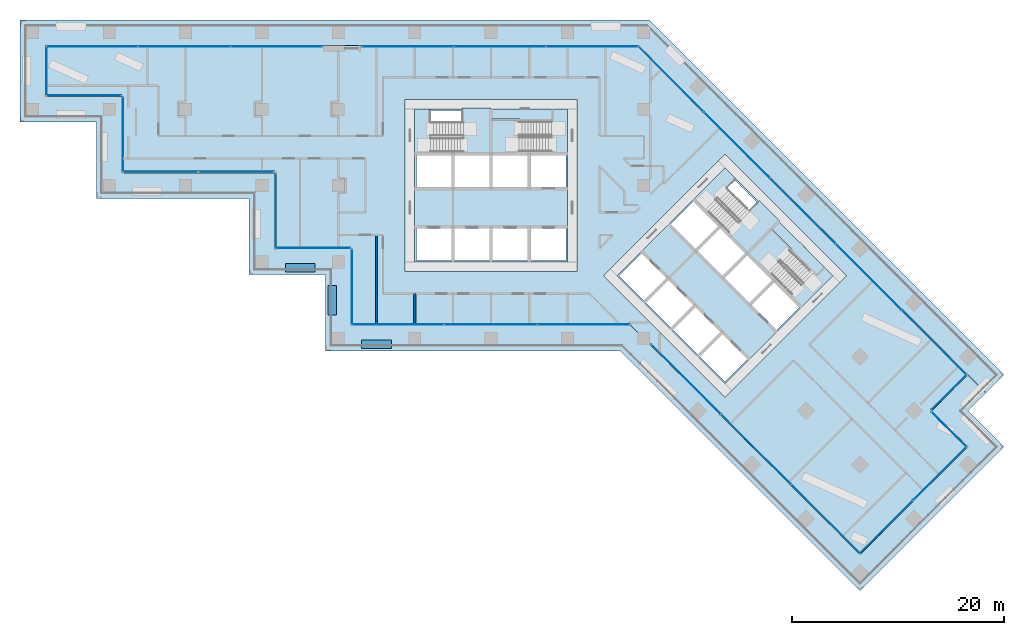
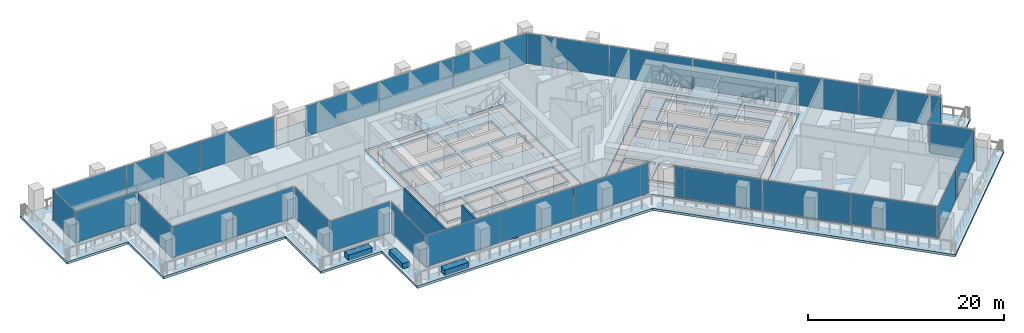
# One storey, part 11 of 24: 29 plates, 8 slabs, 5 walls, 22 openings, 19 elements without a shape of their own.
"""IFC4 building model written with IfcOpenShell, lengths in metres."""

from ifc_helpers import new_model, si_unit, direction, frame, frame_2d, origin, origin_2d, place, context, subcontext, project, spatial, polyline, rectangle, outline, extrude, material, layer, layer_set, type_object, element, aggregate, save


model = new_model("IFC4")

# Units and contexts
model_context = context("Model", 3, precision=1e-05, world=origin(), true_north=direction((0.0, 1.0)))
body_context = subcontext(model_context, "Body", "Model", "MODEL_VIEW")
ifc_project = project(units=[si_unit("LENGTHUNIT", "METRE"), si_unit("AREAUNIT", "SQUARE_METRE"), si_unit("VOLUMEUNIT", "CUBIC_METRE"), si_unit("PLANEANGLEUNIT", "RADIAN"), si_unit("MASSUNIT", "GRAM", prefix="KILO")], contexts=[model_context])

# Site, building, storey
site_placement = place(None, origin())
site = spatial("IfcSite", under=ifc_project, at=site_placement, CompositionType="ELEMENT")
building_placement = place(site_placement, origin())
building = spatial("IfcBuilding", under=site, at=building_placement, Name="Windrow Commons", CompositionType="ELEMENT")
storey_placement = place(building_placement, frame((0.0, 0.0, 77.0)))
storey = spatial("IfcBuildingStorey", under=building, at=storey_placement, Name="L20", CompositionType="ELEMENT", Elevation=77.0)

# Slab, openings
ifc_material_1 = material(Name="Concrete C60/75", Category="concrete")
ifc_layer_1 = layer(ifc_material_1, 0.3)
ifc_layer_set_1 = layer_set([ifc_layer_1], Name="CORE FLOOR SLAB 300 C60/75")
slab_type_1 = type_object("IfcSlabType", Name="CORE FLOOR SLAB 300 C60/75", PredefinedType="FLOOR", material=ifc_layer_set_1)
placement_1 = place(storey_placement, frame((0.0, 0.0, -0.3)))
slab_1 = element("IfcSlab", 1, at=placement_1, inside=storey, type_object=slab_type_1, Name="S-L20-core-A", PredefinedType="FLOOR", context=body_context, shape_type="SweptSolid", body=[
    extrude(outline(polyline([(57.6, 50.4), (72.0, 50.4), (72.0, 64.8), (57.6, 64.8), (57.6, 50.4)]), holes=[polyline([(57.75, 50.55), (61.05, 50.55), (61.05, 53.55), (57.75, 53.55), (57.75, 50.55)]), polyline([(61.35, 50.55), (64.65, 50.55), (64.65, 53.55), (61.35, 53.55), (61.35, 50.55)]), polyline([(64.95, 50.55), (68.25, 50.55), (68.25, 53.55), (64.95, 53.55), (64.95, 50.55)]), polyline([(68.55, 50.55), (71.85, 50.55), (71.85, 53.55), (68.55, 53.55), (68.55, 50.55)]), polyline([(57.75, 57.45), (61.05, 57.45), (61.05, 60.45), (57.75, 60.45), (57.75, 57.45)]), polyline([(61.35, 57.45), (64.65, 57.45), (64.65, 60.45), (61.35, 60.45), (61.35, 57.45)]), polyline([(64.95, 57.45), (68.25, 57.45), (68.25, 60.45), (64.95, 60.45), (64.95, 57.45)]), polyline([(68.55, 57.45), (71.85, 57.45), (71.85, 60.45), (68.55, 60.45), (68.55, 57.45)]), polyline([(59.1, 60.75), (64.65, 60.75), (64.65, 64.65), (59.1, 64.65), (59.1, 60.75)]), polyline([(64.95, 60.75), (70.5, 60.75), (70.5, 63.705), (64.95, 63.705), (64.95, 60.75)])]), origin(), (0.0, 0.0, 1.0), 0.3),
])
opening_1_placement = place(placement_1, origin())
element("IfcOpeningElement", 2, at=opening_1_placement, cuts=slab_1, Name="Slab opening S-L20-core-A 1", PredefinedType="OPENING", context=body_context, shape_type="SweptSolid", body=[
    extrude(outline(polyline([(57.755, 50.555), (57.755, 53.545), (61.045, 53.545), (61.045, 50.555), (57.755, 50.555)])), origin(), (0.0, 0.0, 1.0), 0.3),
])
opening_2_placement = place(placement_1, origin())
element("IfcOpeningElement", 3, at=opening_2_placement, cuts=slab_1, Name="Slab opening S-L20-core-A 2", PredefinedType="OPENING", context=body_context, shape_type="SweptSolid", body=[
    extrude(outline(polyline([(61.355, 50.555), (61.355, 53.545), (64.645, 53.545), (64.645, 50.555), (61.355, 50.555)])), origin(), (0.0, 0.0, 1.0), 0.3),
])
opening_3_placement = place(placement_1, origin())
element("IfcOpeningElement", 4, at=opening_3_placement, cuts=slab_1, Name="Slab opening S-L20-core-A 3", PredefinedType="OPENING", context=body_context, shape_type="SweptSolid", body=[
    extrude(outline(polyline([(64.955, 50.555), (64.955, 53.545), (68.245, 53.545), (68.245, 50.555), (64.955, 50.555)])), origin(), (0.0, 0.0, 1.0), 0.3),
])
opening_4_placement = place(placement_1, origin())
element("IfcOpeningElement", 5, at=opening_4_placement, cuts=slab_1, Name="Slab opening S-L20-core-A 4", PredefinedType="OPENING", context=body_context, shape_type="SweptSolid", body=[
    extrude(outline(polyline([(68.555, 50.555), (68.555, 53.545), (71.845, 53.545), (71.845, 50.555), (68.555, 50.555)])), origin(), (0.0, 0.0, 1.0), 0.3),
])
opening_5_placement = place(placement_1, origin())
element("IfcOpeningElement", 6, at=opening_5_placement, cuts=slab_1, Name="Slab opening S-L20-core-A 5", PredefinedType="OPENING", context=body_context, shape_type="SweptSolid", body=[
    extrude(outline(polyline([(57.755, 57.455), (57.755, 60.445), (61.045, 60.445), (61.045, 57.455), (57.755, 57.455)])), origin(), (0.0, 0.0, 1.0), 0.3),
])
opening_6_placement = place(placement_1, origin())
element("IfcOpeningElement", 7, at=opening_6_placement, cuts=slab_1, Name="Slab opening S-L20-core-A 6", PredefinedType="OPENING", context=body_context, shape_type="SweptSolid", body=[
    extrude(outline(polyline([(61.355, 57.455), (61.355, 60.445), (64.645, 60.445), (64.645, 57.455), (61.355, 57.455)])), origin(), (0.0, 0.0, 1.0), 0.3),
])
opening_7_placement = place(placement_1, origin())
element("IfcOpeningElement", 8, at=opening_7_placement, cuts=slab_1, Name="Slab opening S-L20-core-A 7", PredefinedType="OPENING", context=body_context, shape_type="SweptSolid", body=[
    extrude(outline(polyline([(64.955, 57.455), (64.955, 60.445), (68.245, 60.445), (68.245, 57.455), (64.955, 57.455)])), origin(), (0.0, 0.0, 1.0), 0.3),
])
opening_8_placement = place(placement_1, origin())
element("IfcOpeningElement", 9, at=opening_8_placement, cuts=slab_1, Name="Slab opening S-L20-core-A 8", PredefinedType="OPENING", context=body_context, shape_type="SweptSolid", body=[
    extrude(outline(polyline([(68.555, 57.455), (68.555, 60.445), (71.845, 60.445), (71.845, 57.455), (68.555, 57.455)])), origin(), (0.0, 0.0, 1.0), 0.3),
])
opening_9_placement = place(placement_1, origin())
element("IfcOpeningElement", 10, at=opening_9_placement, cuts=slab_1, Name="Slab opening S-L20-core-A 9", PredefinedType="OPENING", context=body_context, shape_type="SweptSolid", body=[
    extrude(outline(polyline([(59.105, 60.755), (59.105, 64.645), (64.645, 64.645), (64.645, 60.755), (59.105, 60.755)])), origin(), (0.0, 0.0, 1.0), 0.3),
])
opening_10_placement = place(placement_1, origin())
element("IfcOpeningElement", 11, at=opening_10_placement, cuts=slab_1, Name="Slab opening S-L20-core-A 10", PredefinedType="OPENING", context=body_context, shape_type="SweptSolid", body=[
    extrude(outline(polyline([(64.955, 60.755), (64.955, 63.7), (70.495, 63.7), (70.495, 60.755), (64.955, 60.755)])), origin(), (0.0, 0.0, 1.0), 0.3),
])

slab_2 = element("IfcSlab", 12, at=placement_1, inside=storey, type_object=slab_type_1, Name="S-L20-core-B", PredefinedType="FLOOR", context=body_context, shape_type="SweptSolid", body=[
    extrude(outline(polyline([(76.6544, 49.0897), (86.8368, 38.9074), (97.0191, 49.0897), (86.8368, 59.2721), (76.6544, 49.0897)]), holes=[polyline([(76.8665, 49.0897), (79.2, 46.7563), (81.3213, 48.8776), (78.9879, 51.2111), (76.8665, 49.0897)]), polyline([(79.4121, 46.5442), (81.7456, 44.2107), (83.8669, 46.332), (81.5335, 48.6655), (79.4121, 46.5442)]), polyline([(81.9577, 43.9986), (84.2912, 41.6651), (86.4125, 43.7864), (84.079, 46.1199), (81.9577, 43.9986)]), polyline([(84.5033, 41.453), (86.8368, 39.1195), (88.9581, 41.2409), (86.6246, 43.5743), (84.5033, 41.453)]), polyline([(81.7456, 53.9688), (84.079, 51.6353), (86.2004, 53.7566), (83.8669, 56.0901), (81.7456, 53.9688)]), polyline([(84.2912, 51.4232), (86.6246, 49.0897), (88.7459, 51.2111), (86.4125, 53.5445), (84.2912, 51.4232)]), polyline([(86.8368, 48.8776), (89.1702, 46.5442), (91.2915, 48.6655), (88.9581, 50.9989), (86.8368, 48.8776)]), polyline([(89.3823, 46.332), (91.7158, 43.9986), (93.8371, 46.1199), (91.5037, 48.4533), (89.3823, 46.332)]), polyline([(85.0336, 55.3476), (88.9581, 51.4232), (91.7158, 54.1809), (87.7913, 58.1054), (85.0336, 55.3476)]), polyline([(89.1702, 51.2111), (93.0946, 47.2866), (95.1841, 49.3761), (91.2597, 53.3006), (89.1702, 51.2111)])]), origin(), (0.0, 0.0, 1.0), 0.3),
])
opening_11_placement = place(placement_1, origin())
element("IfcOpeningElement", 13, at=opening_11_placement, cuts=slab_2, Name="Slab opening S-L20-core-B 1", PredefinedType="OPENING", context=body_context, shape_type="SweptSolid", body=[
    extrude(outline(polyline([(76.8736, 49.0897), (78.9879, 51.204), (81.3142, 48.8776), (79.2, 46.7634), (76.8736, 49.0897)])), origin(), (0.0, 0.0, 1.0), 0.3),
])
opening_12_placement = place(placement_1, origin())
element("IfcOpeningElement", 14, at=opening_12_placement, cuts=slab_2, Name="Slab opening S-L20-core-B 2", PredefinedType="OPENING", context=body_context, shape_type="SweptSolid", body=[
    extrude(outline(polyline([(79.4192, 46.5442), (81.5335, 48.6584), (83.8598, 46.332), (81.7456, 44.2178), (79.4192, 46.5442)])), origin(), (0.0, 0.0, 1.0), 0.3),
])
opening_13_placement = place(placement_1, origin())
element("IfcOpeningElement", 15, at=opening_13_placement, cuts=slab_2, Name="Slab opening S-L20-core-B 3", PredefinedType="OPENING", context=body_context, shape_type="SweptSolid", body=[
    extrude(outline(polyline([(81.9648, 43.9986), (84.079, 46.1128), (86.4054, 43.7864), (84.2912, 41.6722), (81.9648, 43.9986)])), origin(), (0.0, 0.0, 1.0), 0.3),
])
opening_14_placement = place(placement_1, origin())
element("IfcOpeningElement", 16, at=opening_14_placement, cuts=slab_2, Name="Slab opening S-L20-core-B 4", PredefinedType="OPENING", context=body_context, shape_type="SweptSolid", body=[
    extrude(outline(polyline([(84.5104, 41.453), (86.6246, 43.5672), (88.951, 41.2409), (86.8368, 39.1266), (84.5104, 41.453)])), origin(), (0.0, 0.0, 1.0), 0.3),
])
opening_15_placement = place(placement_1, origin())
element("IfcOpeningElement", 17, at=opening_15_placement, cuts=slab_2, Name="Slab opening S-L20-core-B 5", PredefinedType="OPENING", context=body_context, shape_type="SweptSolid", body=[
    extrude(outline(polyline([(81.7527, 53.9688), (83.8669, 56.083), (86.1933, 53.7566), (84.079, 51.6424), (81.7527, 53.9688)])), origin(), (0.0, 0.0, 1.0), 0.3),
])
opening_16_placement = place(placement_1, origin())
element("IfcOpeningElement", 18, at=opening_16_placement, cuts=slab_2, Name="Slab opening S-L20-core-B 6", PredefinedType="OPENING", context=body_context, shape_type="SweptSolid", body=[
    extrude(outline(polyline([(84.2983, 51.4232), (86.4125, 53.5374), (88.7388, 51.2111), (86.6246, 49.0968), (84.2983, 51.4232)])), origin(), (0.0, 0.0, 1.0), 0.3),
])
opening_17_placement = place(placement_1, origin())
element("IfcOpeningElement", 19, at=opening_17_placement, cuts=slab_2, Name="Slab opening S-L20-core-B 7", PredefinedType="OPENING", context=body_context, shape_type="SweptSolid", body=[
    extrude(outline(polyline([(86.8439, 48.8776), (88.9581, 50.9918), (91.2844, 48.6655), (89.1702, 46.5513), (86.8439, 48.8776)])), origin(), (0.0, 0.0, 1.0), 0.3),
])
opening_18_placement = place(placement_1, origin())
element("IfcOpeningElement", 20, at=opening_18_placement, cuts=slab_2, Name="Slab opening S-L20-core-B 8", PredefinedType="OPENING", context=body_context, shape_type="SweptSolid", body=[
    extrude(outline(polyline([(89.3894, 46.332), (91.5037, 48.4462), (93.83, 46.1199), (91.7158, 44.0057), (89.3894, 46.332)])), origin(), (0.0, 0.0, 1.0), 0.3),
])
opening_19_placement = place(placement_1, origin())
element("IfcOpeningElement", 21, at=opening_19_placement, cuts=slab_2, Name="Slab opening S-L20-core-B 9", PredefinedType="OPENING", context=body_context, shape_type="SweptSolid", body=[
    extrude(outline(polyline([(85.0407, 55.3476), (87.7913, 58.0983), (91.7087, 54.1809), (88.9581, 51.4303), (85.0407, 55.3476)])), origin(), (0.0, 0.0, 1.0), 0.3),
])
opening_20_placement = place(placement_1, origin())
element("IfcOpeningElement", 22, at=opening_20_placement, cuts=slab_2, Name="Slab opening S-L20-core-B 10", PredefinedType="OPENING", context=body_context, shape_type="SweptSolid", body=[
    extrude(outline(polyline([(89.1773, 51.2111), (91.2597, 53.2935), (95.177, 49.3761), (93.0946, 47.2937), (89.1773, 51.2111)])), origin(), (0.0, 0.0, 1.0), 0.3),
])

# Curtain wall, plate
ifc_material_2 = material(Name="Clear laminated glass in Aluminium 6063-T6 anodised frame", Category="aluminium")
curtain_wall_type = type_object("IfcCurtainWallType", Name="Curtain wall CW2 sky lounge", PredefinedType="USERDEFINED", material=ifc_material_2)
placement_2 = place(storey_placement, origin())
curtain_wall_1 = element("IfcCurtainWall", 23, at=placement_2, inside=storey, type_object=curtain_wall_type, Name="Curtain wall CW2 L20 1", ObjectType="UNITISED", PredefinedType="USERDEFINED")
ifc_material_3 = material(Name="Clear laminated glass", Category="glass")
ifc_layer_2 = layer(ifc_material_3, 0.028)
ifc_layer_set_2 = layer_set([ifc_layer_2], Name="CW2 panel glass 28")
plate_type = type_object("IfcPlateType", Name="CW2 panel glass 28", PredefinedType="CURTAIN_PANEL", material=ifc_layer_set_2)
plate_1_placement = place(storey_placement, frame((107.9792, 34.594, 0.06), z_axis=(0.0, 0.0, 1.0), x_axis=(-0.7071067812, 0.7071067812, 0.0)))
plate_1 = element("IfcPlate", 24, at=plate_1_placement, type_object=plate_type, Name="CW2 panel 1.1", PredefinedType="CURTAIN_PANEL", context=body_context, shape_type="SweptSolid", body=[
    extrude(rectangle(XDim=4.68, YDim=0.028, at=origin_2d()), origin(), (0.0, 0.0, 1.0), 3.78),
])
aggregate(curtain_wall_1, [plate_1])

curtain_wall_2 = element("IfcCurtainWall", 25, at=placement_2, inside=storey, type_object=curtain_wall_type, Name="Curtain wall CW2 L20 2", ObjectType="UNITISED", PredefinedType="USERDEFINED")
plate_2_placement = place(storey_placement, frame((107.9792, 38.1296, 0.06), z_axis=(0.0, 0.0, 1.0), x_axis=(0.7071067812, 0.7071067812, 0.0)))
plate_2 = element("IfcPlate", 26, at=plate_2_placement, type_object=plate_type, Name="CW2 panel 1.1", PredefinedType="CURTAIN_PANEL", context=body_context, shape_type="SweptSolid", body=[
    extrude(rectangle(XDim=4.68, YDim=0.028, at=origin_2d()), origin(), (0.0, 0.0, 1.0), 3.78),
])
aggregate(curtain_wall_2, [plate_2])

# Curtain wall, plates
curtain_wall_3 = element("IfcCurtainWall", 27, at=placement_2, inside=storey, type_object=curtain_wall_type, Name="Curtain wall CW2 L20 3", ObjectType="UNITISED", PredefinedType="USERDEFINED")
plate_3_placement = place(storey_placement, frame((106.5613, 42.8002, 0.06), z_axis=(0.0, 0.0, 1.0), x_axis=(-0.7071067812, 0.7071067812, 0.0)))
plate_3 = element("IfcPlate", 28, at=plate_3_placement, type_object=plate_type, Name="CW2 panel 1.1", PredefinedType="CURTAIN_PANEL", context=body_context, shape_type="SweptSolid", body=[
    extrude(rectangle(XDim=8.6906, YDim=0.028, at=origin_2d()), origin(), (0.0, 0.0, 1.0), 3.78),
])
plate_4_placement = place(storey_placement, frame((100.3631, 48.9984, 0.06), z_axis=(0.0, 0.0, 1.0), x_axis=(-0.7071067812, 0.7071067812, 0.0)))
plate_4 = element("IfcPlate", 29, at=plate_4_placement, type_object=plate_type, Name="CW2 panel 2.1", PredefinedType="CURTAIN_PANEL", context=body_context, shape_type="SweptSolid", body=[
    extrude(rectangle(XDim=8.7206, YDim=0.028, at=origin_2d()), origin(), (0.0, 0.0, 1.0), 3.78),
])
plate_5_placement = place(storey_placement, frame((94.1542, 55.2072, 0.06), z_axis=(0.0, 0.0, 1.0), x_axis=(-0.7071067812, 0.7071067812, 0.0)))
plate_5 = element("IfcPlate", 30, at=plate_5_placement, type_object=plate_type, Name="CW2 panel 3.1", PredefinedType="CURTAIN_PANEL", context=body_context, shape_type="SweptSolid", body=[
    extrude(rectangle(XDim=8.7206, YDim=0.028, at=origin_2d()), origin(), (0.0, 0.0, 1.0), 3.78),
])
plate_6_placement = place(storey_placement, frame((87.9454, 61.4161, 0.06), z_axis=(0.0, 0.0, 1.0), x_axis=(-0.7071067812, 0.7071067812, 0.0)))
plate_6 = element("IfcPlate", 31, at=plate_6_placement, type_object=plate_type, Name="CW2 panel 4.1", PredefinedType="CURTAIN_PANEL", context=body_context, shape_type="SweptSolid", body=[
    extrude(rectangle(XDim=8.7206, YDim=0.028, at=origin_2d()), origin(), (0.0, 0.0, 1.0), 3.78),
])
plate_7_placement = place(storey_placement, frame((81.7472, 67.6143, 0.06), z_axis=(0.0, 0.0, 1.0), x_axis=(-0.7071067812, 0.7071067812, 0.0)))
plate_7 = element("IfcPlate", 32, at=plate_7_placement, type_object=plate_type, Name="CW2 panel 5.1", PredefinedType="CURTAIN_PANEL", context=body_context, shape_type="SweptSolid", body=[
    extrude(rectangle(XDim=8.6906, YDim=0.028, at=origin_2d()), origin(), (0.0, 0.0, 1.0), 3.78),
])
aggregate(curtain_wall_3, [plate_3, plate_4, plate_5, plate_6, plate_7])

curtain_wall_4 = element("IfcCurtainWall", 33, at=placement_2, inside=storey, type_object=curtain_wall_type, Name="Curtain wall CW2 L20 4.1", ObjectType="UNITISED", PredefinedType="USERDEFINED")
plate_8_placement = place(storey_placement, frame((74.3294, 70.7, 0.06), z_axis=(0.0, 0.0, 1.0), x_axis=(-1.0, 0.0, 0.0)))
plate_8 = element("IfcPlate", 34, at=plate_8_placement, type_object=plate_type, Name="CW2 panel 1.1", PredefinedType="CURTAIN_PANEL", context=body_context, shape_type="SweptSolid", body=[
    extrude(rectangle(XDim=8.627, YDim=0.028, at=origin_2d()), origin(), (0.0, 0.0, 1.0), 3.78),
])
plate_9_placement = place(storey_placement, frame((65.6274, 70.7, 0.06), z_axis=(0.0, 0.0, 1.0), x_axis=(-1.0, 0.0, 0.0)))
plate_9 = element("IfcPlate", 35, at=plate_9_placement, type_object=plate_type, Name="CW2 panel 2.1", PredefinedType="CURTAIN_PANEL", context=body_context, shape_type="SweptSolid", body=[
    extrude(rectangle(XDim=8.657, YDim=0.028, at=origin_2d()), origin(), (0.0, 0.0, 1.0), 3.78),
])
plate_10_placement = place(storey_placement, frame((56.9254, 70.7, 0.06), z_axis=(0.0, 0.0, 1.0), x_axis=(-1.0, 0.0, 0.0)))
plate_10 = element("IfcPlate", 36, at=plate_10_placement, type_object=plate_type, Name="CW2 panel 3.1", PredefinedType="CURTAIN_PANEL", context=body_context, shape_type="SweptSolid", body=[
    extrude(rectangle(XDim=8.627, YDim=0.028, at=origin_2d()), origin(), (0.0, 0.0, 1.0), 3.78),
])
aggregate(curtain_wall_4, [plate_8, plate_9, plate_10])

curtain_wall_5 = element("IfcCurtainWall", 37, at=placement_2, inside=storey, type_object=curtain_wall_type, Name="Curtain wall CW2 L20 4.2", ObjectType="UNITISED", PredefinedType="USERDEFINED")
plate_11_placement = place(storey_placement, frame((44.5782, 70.7, 0.06), z_axis=(0.0, 0.0, 1.0), x_axis=(-1.0, 0.0, 0.0)))
plate_11 = element("IfcPlate", 38, at=plate_11_placement, type_object=plate_type, Name="CW2 panel 1.1", PredefinedType="CURTAIN_PANEL", context=body_context, shape_type="SweptSolid", body=[
    extrude(rectangle(XDim=8.6273, YDim=0.028, at=origin_2d()), origin(), (0.0, 0.0, 1.0), 3.78),
])
plate_12_placement = place(storey_placement, frame((35.876, 70.7, 0.06), z_axis=(0.0, 0.0, 1.0), x_axis=(-1.0, 0.0, 0.0)))
plate_12 = element("IfcPlate", 39, at=plate_12_placement, type_object=plate_type, Name="CW2 panel 2.1", PredefinedType="CURTAIN_PANEL", context=body_context, shape_type="SweptSolid", body=[
    extrude(rectangle(XDim=8.6573, YDim=0.028, at=origin_2d()), origin(), (0.0, 0.0, 1.0), 3.78),
])
plate_13_placement = place(storey_placement, frame((27.1736, 70.7, 0.06), z_axis=(0.0, 0.0, 1.0), x_axis=(-1.0, 0.0, 0.0)))
plate_13 = element("IfcPlate", 40, at=plate_13_placement, type_object=plate_type, Name="CW2 panel 3.1", PredefinedType="CURTAIN_PANEL", context=body_context, shape_type="SweptSolid", body=[
    extrude(rectangle(XDim=8.6273, YDim=0.028, at=origin_2d()), origin(), (0.0, 0.0, 1.0), 3.78),
])
aggregate(curtain_wall_5, [plate_11, plate_12, plate_13])

# Curtain wall, plate
curtain_wall_6 = element("IfcCurtainWall", 41, at=placement_2, inside=storey, type_object=curtain_wall_type, Name="Curtain wall CW2 L20 5", ObjectType="UNITISED", PredefinedType="USERDEFINED")
plate_14_placement = place(storey_placement, frame((22.9, 68.4, 0.06), z_axis=(0.0, 0.0, 1.0), x_axis=(0.0, -1.0, 0.0)))
plate_14 = element("IfcPlate", 42, at=plate_14_placement, type_object=plate_type, Name="CW2 panel 1.1", PredefinedType="CURTAIN_PANEL", context=body_context, shape_type="SweptSolid", body=[
    extrude(rectangle(XDim=4.68, YDim=0.028, at=origin_2d()), origin(), (0.0, 0.0, 1.0), 3.78),
])
aggregate(curtain_wall_6, [plate_14])

curtain_wall_7 = element("IfcCurtainWall", 43, at=placement_2, inside=storey, type_object=curtain_wall_type, Name="Curtain wall CW2 L20 6", ObjectType="UNITISED", PredefinedType="USERDEFINED")
plate_15_placement = place(storey_placement, frame((26.4, 66.1, 0.06), z_axis=(0.0, 0.0, 1.0), x_axis=(1.0, 0.0, 0.0)))
plate_15 = element("IfcPlate", 44, at=plate_15_placement, type_object=plate_type, Name="CW2 panel 1.1", PredefinedType="CURTAIN_PANEL", context=body_context, shape_type="SweptSolid", body=[
    extrude(rectangle(XDim=7.08, YDim=0.028, at=origin_2d()), origin(), (0.0, 0.0, 1.0), 3.78),
])
aggregate(curtain_wall_7, [plate_15])

curtain_wall_8 = element("IfcCurtainWall", 45, at=placement_2, inside=storey, type_object=curtain_wall_type, Name="Curtain wall CW2 L20 7", ObjectType="UNITISED", PredefinedType="USERDEFINED")
plate_16_placement = place(storey_placement, frame((30.1, 62.4, 0.06), z_axis=(0.0, 0.0, 1.0), x_axis=(0.0, -1.0, 0.0)))
plate_16 = element("IfcPlate", 46, at=plate_16_placement, type_object=plate_type, Name="CW2 panel 1.1", PredefinedType="CURTAIN_PANEL", context=body_context, shape_type="SweptSolid", body=[
    extrude(rectangle(XDim=7.08, YDim=0.028, at=origin_2d()), origin(), (0.0, 0.0, 1.0), 3.78),
])
aggregate(curtain_wall_8, [plate_16])

# Curtain wall, plates
curtain_wall_9 = element("IfcCurtainWall", 47, at=placement_2, inside=storey, type_object=curtain_wall_type, Name="Curtain wall CW2 L20 8", ObjectType="UNITISED", PredefinedType="USERDEFINED")
plate_17_placement = place(storey_placement, frame((33.615, 58.9, 0.06), z_axis=(0.0, 0.0, 1.0), x_axis=(1.0, 0.0, 0.0)))
plate_17 = element("IfcPlate", 48, at=plate_17_placement, type_object=plate_type, Name="CW2 panel 1.1", PredefinedType="CURTAIN_PANEL", context=body_context, shape_type="SweptSolid", body=[
    extrude(rectangle(XDim=7.11, YDim=0.028, at=origin_2d()), origin(), (0.0, 0.0, 1.0), 3.78),
])
plate_18_placement = place(storey_placement, frame((40.785, 58.9, 0.06), z_axis=(0.0, 0.0, 1.0), x_axis=(1.0, 0.0, 0.0)))
plate_18 = element("IfcPlate", 49, at=plate_18_placement, type_object=plate_type, Name="CW2 panel 2.1", PredefinedType="CURTAIN_PANEL", context=body_context, shape_type="SweptSolid", body=[
    extrude(rectangle(XDim=7.11, YDim=0.028, at=origin_2d()), origin(), (0.0, 0.0, 1.0), 3.78),
])
aggregate(curtain_wall_9, [plate_17, plate_18])

# Curtain wall, plate
curtain_wall_10 = element("IfcCurtainWall", 50, at=placement_2, inside=storey, type_object=curtain_wall_type, Name="Curtain wall CW2 L20 9", ObjectType="UNITISED", PredefinedType="USERDEFINED")
plate_19_placement = place(storey_placement, frame((44.5, 55.2, 0.06), z_axis=(0.0, 0.0, 1.0), x_axis=(0.0, -1.0, 0.0)))
plate_19 = element("IfcPlate", 51, at=plate_19_placement, type_object=plate_type, Name="CW2 panel 1.1", PredefinedType="CURTAIN_PANEL", context=body_context, shape_type="SweptSolid", body=[
    extrude(rectangle(XDim=7.08, YDim=0.028, at=origin_2d()), origin(), (0.0, 0.0, 1.0), 3.78),
])
aggregate(curtain_wall_10, [plate_19])

curtain_wall_11 = element("IfcCurtainWall", 52, at=placement_2, inside=storey, type_object=curtain_wall_type, Name="Curtain wall CW2 L20 10", ObjectType="UNITISED", PredefinedType="USERDEFINED")
plate_20_placement = place(storey_placement, frame((48.0, 51.7, 0.06), z_axis=(0.0, 0.0, 1.0), x_axis=(1.0, 0.0, 0.0)))
plate_20 = element("IfcPlate", 53, at=plate_20_placement, type_object=plate_type, Name="CW2 panel 1.1", PredefinedType="CURTAIN_PANEL", context=body_context, shape_type="SweptSolid", body=[
    extrude(rectangle(XDim=7.08, YDim=0.028, at=origin_2d()), origin(), (0.0, 0.0, 1.0), 3.78),
])
aggregate(curtain_wall_11, [plate_20])

curtain_wall_12 = element("IfcCurtainWall", 54, at=placement_2, inside=storey, type_object=curtain_wall_type, Name="Curtain wall CW2 L20 11", ObjectType="UNITISED", PredefinedType="USERDEFINED")
plate_21_placement = place(storey_placement, frame((51.7, 48.0, 0.06), z_axis=(0.0, 0.0, 1.0), x_axis=(0.0, -1.0, 0.0)))
plate_21 = element("IfcPlate", 55, at=plate_21_placement, type_object=plate_type, Name="CW2 panel 1.1", PredefinedType="CURTAIN_PANEL", context=body_context, shape_type="SweptSolid", body=[
    extrude(rectangle(XDim=7.08, YDim=0.028, at=origin_2d()), origin(), (0.0, 0.0, 1.0), 3.78),
])
aggregate(curtain_wall_12, [plate_21])

# Curtain wall, plates
curtain_wall_13 = element("IfcCurtainWall", 56, at=placement_2, inside=storey, type_object=curtain_wall_type, Name="Curtain wall CW2 L20 12", ObjectType="UNITISED", PredefinedType="USERDEFINED")
plate_22_placement = place(storey_placement, frame((56.0067, 44.5, 0.06), z_axis=(0.0, 0.0, 1.0), x_axis=(1.0, 0.0, 0.0)))
plate_22 = element("IfcPlate", 57, at=plate_22_placement, type_object=plate_type, Name="CW2 panel 1.1", PredefinedType="CURTAIN_PANEL", context=body_context, shape_type="SweptSolid", body=[
    extrude(rectangle(XDim=8.6933, YDim=0.028, at=origin_2d()), origin(), (0.0, 0.0, 1.0), 3.78),
])
plate_23_placement = place(storey_placement, frame((64.775, 44.5, 0.06), z_axis=(0.0, 0.0, 1.0), x_axis=(1.0, 0.0, 0.0)))
plate_23 = element("IfcPlate", 58, at=plate_23_placement, type_object=plate_type, Name="CW2 panel 2.1", PredefinedType="CURTAIN_PANEL", context=body_context, shape_type="SweptSolid", body=[
    extrude(rectangle(XDim=8.7233, YDim=0.028, at=origin_2d()), origin(), (0.0, 0.0, 1.0), 3.78),
])
plate_24_placement = place(storey_placement, frame((73.5433, 44.5, 0.06), z_axis=(0.0, 0.0, 1.0), x_axis=(1.0, 0.0, 0.0)))
plate_24 = element("IfcPlate", 59, at=plate_24_placement, type_object=plate_type, Name="CW2 panel 3.1", PredefinedType="CURTAIN_PANEL", context=body_context, shape_type="SweptSolid", body=[
    extrude(rectangle(XDim=8.6933, YDim=0.028, at=origin_2d()), origin(), (0.0, 0.0, 1.0), 3.78),
])
aggregate(curtain_wall_13, [plate_22, plate_23, plate_24])

curtain_wall_14 = element("IfcCurtainWall", 60, at=placement_2, inside=storey, type_object=curtain_wall_type, Name="Curtain wall CW2 L20 13", ObjectType="UNITISED", PredefinedType="USERDEFINED")
plate_25_placement = place(storey_placement, frame((83.1546, 39.3368, 0.06), z_axis=(0.0, 0.0, 1.0), x_axis=(0.7071084169, -0.7071051455, 0.0)))
plate_25 = element("IfcPlate", 61, at=plate_25_placement, type_object=plate_type, Name="CW2 panel 1.1", PredefinedType="CURTAIN_PANEL", context=body_context, shape_type="SweptSolid", body=[
    extrude(rectangle(XDim=9.2389, YDim=0.028, at=origin_2d()), origin(), (0.0, 0.0, 1.0), 3.78),
])
plate_26_placement = place(storey_placement, frame((89.7406, 32.7509, 0.06), z_axis=(0.0, 0.0, 1.0), x_axis=(0.7071084169, -0.7071051455, 0.0)))
plate_26 = element("IfcPlate", 62, at=plate_26_placement, type_object=plate_type, Name="CW2 panel 2.1", PredefinedType="CURTAIN_PANEL", context=body_context, shape_type="SweptSolid", body=[
    extrude(rectangle(XDim=9.2689, YDim=0.028, at=origin_2d()), origin(), (0.0, 0.0, 1.0), 3.78),
])
plate_27_placement = place(storey_placement, frame((96.3265, 26.165, 0.06), z_axis=(0.0, 0.0, 1.0), x_axis=(0.7071084169, -0.7071051455, 0.0)))
plate_27 = element("IfcPlate", 63, at=plate_27_placement, type_object=plate_type, Name="CW2 panel 3.1", PredefinedType="CURTAIN_PANEL", context=body_context, shape_type="SweptSolid", body=[
    extrude(rectangle(XDim=9.2389, YDim=0.028, at=origin_2d()), origin(), (0.0, 0.0, 1.0), 3.78),
])
aggregate(curtain_wall_14, [plate_25, plate_26, plate_27])

curtain_wall_15 = element("IfcCurtainWall", 64, at=placement_2, inside=storey, type_object=curtain_wall_type, Name="Curtain wall CW2 L20 14", ObjectType="UNITISED", PredefinedType="USERDEFINED")
plate_28_placement = place(storey_placement, frame((102.0502, 25.4123, 0.06), z_axis=(0.0, 0.0, 1.0), x_axis=(0.7071067812, 0.7071067812, 0.0)))
plate_28 = element("IfcPlate", 65, at=plate_28_placement, type_object=plate_type, Name="CW2 panel 1.1", PredefinedType="CURTAIN_PANEL", context=body_context, shape_type="SweptSolid", body=[
    extrude(rectangle(XDim=7.11, YDim=0.028, at=origin_2d()), origin(), (0.0, 0.0, 1.0), 3.78),
])
plate_29_placement = place(storey_placement, frame((107.1201, 30.4822, 0.06), z_axis=(0.0, 0.0, 1.0), x_axis=(0.7071067812, 0.7071067812, 0.0)))
plate_29 = element("IfcPlate", 66, at=plate_29_placement, type_object=plate_type, Name="CW2 panel 2.1", PredefinedType="CURTAIN_PANEL", context=body_context, shape_type="SweptSolid", body=[
    extrude(rectangle(XDim=7.11, YDim=0.028, at=origin_2d()), origin(), (0.0, 0.0, 1.0), 3.78),
])
aggregate(curtain_wall_15, [plate_28, plate_29])

# Stair, slab
ifc_material_4 = material(Name="Concrete C40/50", Category="concrete")
stair_type = type_object("IfcStairType", Name="Core stair", PredefinedType="HALF_TURN_STAIR", material=ifc_material_4)
stair_1 = element("IfcStair", 67, at=placement_2, inside=storey, type_object=stair_type, Name="L20 Exit stair A1 core A", PredefinedType="HALF_TURN_STAIR")
ifc_material_5 = material(Name="Concrete C40/50", Category="concrete")
ifc_layer_3 = layer(ifc_material_5, 0.2)
ifc_layer_set_3 = layer_set([ifc_layer_3], Name="Core stair landing")
slab_type_2 = type_object("IfcSlabType", Name="Core stair landing", PredefinedType="LANDING", material=ifc_layer_set_3)
placement_3 = place(storey_placement, frame((0.0, 0.0, 1.9)))
slab_3 = element("IfcSlab", 68, at=placement_3, type_object=slab_type_2, Name="ST-A1 landing 1", PredefinedType="LANDING", context=body_context, shape_type="SweptSolid", body=[
    extrude(outline(polyline([(62.06, 60.5), (64.8, 60.5), (64.8, 64.9), (62.06, 64.9), (62.06, 60.5)])), origin(), (0.0, 0.0, 1.0), 0.2),
])
aggregate(stair_1, [slab_3])

stair_2 = element("IfcStair", 69, at=placement_2, inside=storey, type_object=stair_type, Name="L20 Exit stair A2 core A", PredefinedType="HALF_TURN_STAIR")
slab_4 = element("IfcSlab", 70, at=placement_3, type_object=slab_type_2, Name="ST-A2 landing 1", PredefinedType="LANDING", context=body_context, shape_type="SweptSolid", body=[
    extrude(outline(polyline([(64.8, 60.5), (67.54, 60.5), (67.54, 63.855), (64.8, 63.855), (64.8, 60.5)])), origin(), (0.0, 0.0, 1.0), 0.2),
])
aggregate(stair_2, [slab_4])

stair_3 = element("IfcStair", 71, at=placement_2, inside=storey, type_object=stair_type, Name="L20 Exit stair B1 core B", PredefinedType="HALF_TURN_STAIR")
slab_5 = element("IfcSlab", 72, at=placement_3, type_object=slab_type_2, Name="ST-B1 landing 1", PredefinedType="LANDING", context=body_context, shape_type="SweptSolid", body=[
    extrude(outline(polyline([(86.9499, 53.0778), (88.8874, 51.1403), (91.9986, 54.2516), (90.0612, 56.1891), (86.9499, 53.0778)])), origin(), (0.0, 0.0, 1.0), 0.2),
])
aggregate(stair_3, [slab_5])

stair_4 = element("IfcStair", 73, at=placement_2, inside=storey, type_object=stair_type, Name="L20 Exit stair B2 core B", PredefinedType="HALF_TURN_STAIR")
slab_6 = element("IfcSlab", 74, at=placement_3, type_object=slab_type_2, Name="ST-B2 landing 1", PredefinedType="LANDING", context=body_context, shape_type="SweptSolid", body=[
    extrude(outline(polyline([(88.8874, 51.1403), (90.8248, 49.2029), (93.1971, 51.5752), (91.2597, 53.5127), (88.8874, 51.1403)])), origin(), (0.0, 0.0, 1.0), 0.2),
])
aggregate(stair_4, [slab_6])

# Slab, openings
ifc_material_6 = material(Name="Concrete C60/75", Category="concrete")
ifc_layer_4 = layer(ifc_material_6, 0.3)
ifc_layer_set_4 = layer_set([ifc_layer_4], Name="FLOOR SLAB 300 C60/75")
slab_type_3 = type_object("IfcSlabType", Name="FLOOR SLAB 300 C60/75", PredefinedType="FLOOR", material=ifc_layer_set_4)
slab_7 = element("IfcSlab", 75, at=placement_1, inside=storey, type_object=slab_type_3, Name="S-L20-floor", PredefinedType="FLOOR", context=body_context, shape_type="SweptSolid", body=[
    extrude(outline(polyline([(99.5647, 22.7854), (109.747, 32.9677), (106.3529, 36.3618), (109.747, 39.7559), (78.7029, 70.8), (22.8, 70.8), (22.8, 66.0), (30.0, 66.0), (30.0, 58.8), (44.4, 58.8), (44.4, 51.6), (51.6, 51.6), (51.6, 44.4), (77.95, 44.4), (99.5647, 22.7854)]), holes=[polyline([(75.3816, 49.0897), (86.8368, 60.5449), (98.2919, 49.0897), (86.8368, 37.6346), (75.3816, 49.0897)]), polyline([(56.7, 49.5), (56.7, 65.7), (72.9, 65.7), (72.9, 49.5), (56.7, 49.5)])]), origin(), (0.0, 0.0, 1.0), 0.3),
])
opening_21_placement = place(placement_1, origin())
element("IfcOpeningElement", 76, at=opening_21_placement, cuts=slab_7, Name="Slab opening S-L20-floor 1", PredefinedType="OPENING", context=body_context, shape_type="SweptSolid", body=[
    extrude(outline(polyline([(75.3887, 49.0897), (86.8368, 60.5378), (98.2848, 49.0897), (86.8368, 37.6417), (75.3887, 49.0897)])), origin(), (0.0, 0.0, 1.0), 0.3),
])
opening_22_placement = place(placement_1, origin())
element("IfcOpeningElement", 77, at=opening_22_placement, cuts=slab_7, Name="Slab opening S-L20-floor 2", PredefinedType="OPENING", context=body_context, shape_type="SweptSolid", body=[
    extrude(outline(polyline([(56.705, 49.505), (56.705, 65.695), (72.895, 65.695), (72.895, 49.505), (56.705, 49.505)])), origin(), (0.0, 0.0, 1.0), 0.3),
])

# Slab
ifc_material_7 = material(Name="Concrete C60/75", Category="concrete")
ifc_layer_5 = layer(ifc_material_7, 0.3)
ifc_layer_set_5 = layer_set([ifc_layer_5], Name="TERRACE SLAB 300 C60/75")
slab_type_4 = type_object("IfcSlabType", Name="TERRACE SLAB 300 C60/75", PredefinedType="FLOOR", material=ifc_layer_set_5)
element("IfcSlab", 78, at=placement_1, inside=storey, type_object=slab_type_4, Name="Terrace slab TR-L20-1", PredefinedType="FLOOR", context=body_context, shape_type="SweptSolid", body=[
    extrude(outline(polyline([(49.2, 49.2), (49.2, 42.0), (76.9559, 42.0), (99.5647, 19.3913), (113.1411, 32.9677), (109.747, 36.3618), (111.437, 38.0518), (109.7399, 39.7488), (106.3529, 36.3618), (109.747, 32.9677), (99.5647, 22.7854), (77.95, 44.4), (51.6, 44.4), (51.6, 51.6), (44.4, 51.6), (44.4, 58.8), (30.0, 58.8), (30.0, 66.0), (22.8, 66.0), (22.8, 70.8), (78.7029, 70.8), (109.7116, 39.7913), (109.7187, 39.7983), (111.4511, 38.0659), (113.1411, 39.7559), (79.6971, 73.2), (20.4, 73.2), (20.4, 63.6), (27.6, 63.6), (27.6, 56.4), (42.0, 56.4), (42.0, 49.2), (49.2, 49.2)])), origin(), (0.0, 0.0, 1.0), 0.3),
])

# Walls
ifc_material_8 = material(Name="Blockwork partition", Category="masonry")
ifc_layer_6 = layer(ifc_material_8, 0.2)
ifc_layer_set_6 = layer_set([ifc_layer_6], Name="IW-PARTY-200")
wall_type_1 = type_object("IfcWallType", Name="IW-PARTY-200", PredefinedType="PARTITIONING", material=ifc_layer_set_6)
wall_1_placement = place(storey_placement, frame((54.0, 44.53, 0.0), z_axis=(0.0, 0.0, 1.0), x_axis=(0.0, 1.0, 0.0)))
element("IfcWall", 79, at=wall_1_placement, inside=storey, type_object=wall_type_1, Name="W-L20-W011", PredefinedType="PARTITIONING", context=body_context, shape_type="SweptSolid", body=[
    extrude(rectangle(XDim=8.42, YDim=0.2, at=frame_2d((4.21, 0.0))), origin(), (0.0, 0.0, 1.0), 3.9),
])
wall_2_placement = place(storey_placement, frame((57.6, 44.53, 0.0), z_axis=(0.0, 0.0, 1.0), x_axis=(0.0, 1.0, 0.0)))
element("IfcWall", 80, at=wall_2_placement, inside=storey, type_object=wall_type_1, Name="W-L20-W044", PredefinedType="PARTITIONING", context=body_context, shape_type="SweptSolid", body=[
    extrude(rectangle(XDim=2.87, YDim=0.2, at=frame_2d((1.435, 0.0))), origin(), (0.0, 0.0, 1.0), 3.9),
])
ifc_material_9 = material(Name="Concrete C30/37 planter wall", Category="concrete")
ifc_layer_7 = layer(ifc_material_9, 0.8)
ifc_layer_set_7 = layer_set([ifc_layer_7], Name="Planter 800x600")
wall_type_2 = type_object("IfcWallType", Name="Planter 800x600", PredefinedType="SOLIDWALL", material=ifc_layer_set_7)
for number, where, z_axis, x_axis, name in (
    (81, (45.4, 49.85, 0.0), (0.0, 0.0, 1.0), (1.0, 0.0, 0.0), "PLANTER TR-L20-1.12"),
    (82, (49.85, 48.2, 0.0), (0.0, 0.0, 1.0), (0.0, -1.0, 0.0), "PLANTER TR-L20-1.13"),
    (83, (52.6, 42.65, 0.0), (0.0, 0.0, 1.0), (1.0, 0.0, 0.0), "PLANTER TR-L20-1.14"),
):
    element("IfcWall", number, at=place(storey_placement, frame(where, z_axis=z_axis, x_axis=x_axis)), inside=storey, type_object=wall_type_2, Name=name, PredefinedType="SOLIDWALL", context=body_context, shape_type="SweptSolid", body=[
        extrude(rectangle(XDim=2.8, YDim=0.8, at=frame_2d((1.4, 0.0))), origin(), (0.0, 0.0, 1.0), 0.65),
    ])

save(model, "model.ifc")
